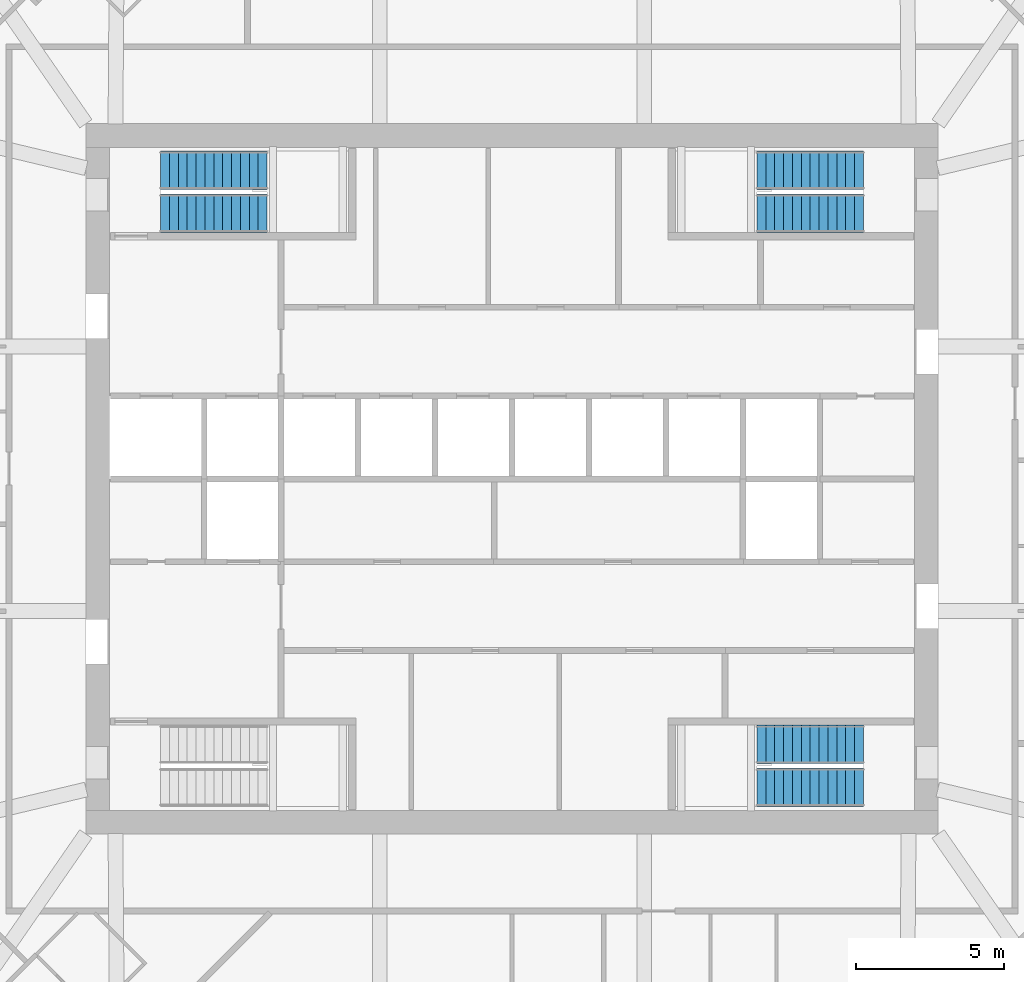
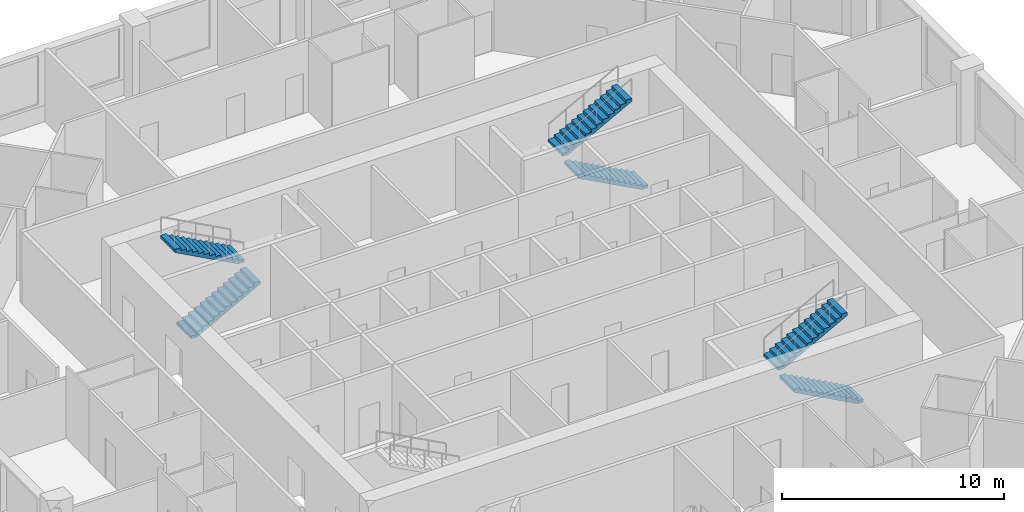
# One storey, part 11 of 12: 6 stair flights, 3 elements without a shape of their own.
"""IFC4 building model written with IfcOpenShell, lengths in metres."""

from ifc_helpers import new_model, si_unit, direction, frame, origin, place, context, subcontext, project, spatial, polyline, outline, extrude, material, type_object, element, aggregate, save


model = new_model("IFC4")

# Units and contexts
model_context = context("Model", 3, precision=1e-05, world=origin(), true_north=direction((0.0, 1.0)))
body_context = subcontext(model_context, "Body", "Model", "MODEL_VIEW")
ifc_project = project(units=[si_unit("LENGTHUNIT", "METRE"), si_unit("AREAUNIT", "SQUARE_METRE"), si_unit("VOLUMEUNIT", "CUBIC_METRE"), si_unit("PLANEANGLEUNIT", "RADIAN"), si_unit("MASSUNIT", "GRAM", prefix="KILO")], contexts=[model_context])

# Site, building, storey
site_placement = place(None, origin())
site = spatial("IfcSite", under=ifc_project, at=site_placement, CompositionType="ELEMENT")
building_placement = place(site_placement, origin())
building = spatial("IfcBuilding", under=site, at=building_placement, Name="Msitu Wima Residences", CompositionType="ELEMENT")
storey_placement = place(building_placement, frame((0.0, 0.0, 123.300048828125)))
storey = spatial("IfcBuildingStorey", under=building, at=storey_placement, Name="L28", CompositionType="ELEMENT", Elevation=123.300048828125)

# Stair, stair flights
ifc_material = material(Name="Concrete C40/50", Category="concrete")
stair_type = type_object("IfcStairType", Name="Exit stair ES1615-130", PredefinedType="HALF_TURN_STAIR", material=ifc_material)
stair_1_placement = place(storey_placement, origin())
stair_1 = element("IfcStair", 1, at=stair_1_placement, inside=storey, type_object=stair_type, Name="Exit stair 1", PredefinedType="HALF_TURN_STAIR")
stair_flight_type = type_object("IfcStairFlightType", Name="Exit stair flight ES1615-130", PredefinedType="STRAIGHT", material=ifc_material)
stair_flight_1_placement = place(storey_placement, frame((-11.875, 8.97509765625, 0.0), z_axis=(0.0, 0.0, 1.0), x_axis=(1.0, 0.0, 0.0)))
stair_flight_1 = element("IfcStairFlight", 2, at=stair_flight_1_placement, type_object=stair_flight_type, Name="S1 flight 1", NumberOfRisers=13, NumberOfTreads=12, PredefinedType="STRAIGHT", RiserHeight=0.161538462, TreadLength=0.3, context=body_context, shape_type="SweptSolid", body=[
    extrude(outline(polyline([(0.0, 0.0), (0.0, 0.16162109375), (0.300048828125, 0.16162109375), (0.300048828125, 0.322998046875), (0.60009765625, 0.322998046875), (0.60009765625, 0.484619140625), (0.89990234375, 0.484619140625), (0.89990234375, 0.646240234375), (1.199951171875, 0.646240234375), (1.199951171875, 0.8076171875), (1.5, 0.8076171875), (1.5, 0.96923828125), (1.800048828125, 0.96923828125), (1.800048828125, 1.130859375), (2.10009765625, 1.130859375), (2.10009765625, 1.292236328125), (2.39990234375, 1.292236328125), (2.39990234375, 1.453857421875), (2.699951171875, 1.453857421875), (2.699951171875, 1.615478515625), (3.0, 1.615478515625), (3.0, 1.77685546875), (3.300048828125, 1.77685546875), (3.300048828125, 1.9384765625), (3.60009765625, 1.9384765625), (3.60009765625, 2.10009765625), (3.60009765625, 1.768310546875), (0.316162109375, 0.0), (0.0, 0.0)])), frame((0.0, 0.64990234375, 0.0), z_axis=(0.0, -1.0, 0.0), x_axis=(1.0, 0.0, 0.0)), (0.0, 0.0, 1.0), 1.300048828125),
])
stair_flight_2_placement = place(storey_placement, frame((-8.27490234375, 10.425048828125, 2.099853515625), z_axis=(0.0, 0.0, 1.0), x_axis=(-1.0, 0.0, 0.0)))
stair_flight_2 = element("IfcStairFlight", 3, at=stair_flight_2_placement, type_object=stair_flight_type, Name="S1 flight 2", NumberOfRisers=13, NumberOfTreads=12, PredefinedType="STRAIGHT", RiserHeight=0.161538462, TreadLength=0.3, context=body_context, shape_type="SweptSolid", body=[
    extrude(outline(polyline([(0.0, 0.0), (0.0, 0.16162109375), (0.300048828125, 0.16162109375), (0.300048828125, 0.322998046875), (0.60009765625, 0.322998046875), (0.60009765625, 0.484619140625), (0.89990234375, 0.484619140625), (0.89990234375, 0.646240234375), (1.199951171875, 0.646240234375), (1.199951171875, 0.8076171875), (1.5, 0.8076171875), (1.5, 0.96923828125), (1.800048828125, 0.96923828125), (1.800048828125, 1.130859375), (2.10009765625, 1.130859375), (2.10009765625, 1.292236328125), (2.39990234375, 1.292236328125), (2.39990234375, 1.453857421875), (2.699951171875, 1.453857421875), (2.699951171875, 1.615478515625), (3.0, 1.615478515625), (3.0, 1.77685546875), (3.300048828125, 1.77685546875), (3.300048828125, 1.9384765625), (3.60009765625, 1.9384765625), (3.60009765625, 2.10009765625), (3.60009765625, 1.768310546875), (0.316162109375, 0.0), (0.0, 0.0)])), frame((0.0, 0.64990234375, 0.0), z_axis=(0.0, -1.0, 0.0), x_axis=(1.0, 0.0, 0.0)), (0.0, 0.0, 1.0), 1.300048828125),
])
aggregate(stair_1, [stair_flight_1, stair_flight_2])

stair_2_placement = place(storey_placement, origin())
stair_2 = element("IfcStair", 4, at=stair_2_placement, inside=storey, type_object=stair_type, Name="Exit stair 3", PredefinedType="HALF_TURN_STAIR")
stair_flight_3_placement = place(storey_placement, frame((11.875, 8.97509765625, 0.0), z_axis=(0.0, 0.0, 1.0), x_axis=(-1.0, 0.0, 0.0)))
stair_flight_3 = element("IfcStairFlight", 5, at=stair_flight_3_placement, type_object=stair_flight_type, Name="S3 flight 1", NumberOfRisers=13, NumberOfTreads=12, PredefinedType="STRAIGHT", RiserHeight=0.161538462, TreadLength=0.3, context=body_context, shape_type="SweptSolid", body=[
    extrude(outline(polyline([(0.0, 0.0), (0.0, 0.16162109375), (0.300048828125, 0.16162109375), (0.300048828125, 0.322998046875), (0.60009765625, 0.322998046875), (0.60009765625, 0.484619140625), (0.89990234375, 0.484619140625), (0.89990234375, 0.646240234375), (1.199951171875, 0.646240234375), (1.199951171875, 0.8076171875), (1.5, 0.8076171875), (1.5, 0.96923828125), (1.800048828125, 0.96923828125), (1.800048828125, 1.130859375), (2.10009765625, 1.130859375), (2.10009765625, 1.292236328125), (2.39990234375, 1.292236328125), (2.39990234375, 1.453857421875), (2.699951171875, 1.453857421875), (2.699951171875, 1.615478515625), (3.0, 1.615478515625), (3.0, 1.77685546875), (3.300048828125, 1.77685546875), (3.300048828125, 1.9384765625), (3.60009765625, 1.9384765625), (3.60009765625, 2.10009765625), (3.60009765625, 1.768310546875), (0.316162109375, 0.0), (0.0, 0.0)])), frame((0.0, 0.64990234375, 0.0), z_axis=(0.0, -1.0, 0.0), x_axis=(1.0, 0.0, 0.0)), (0.0, 0.0, 1.0), 1.300048828125),
])
stair_flight_4_placement = place(storey_placement, frame((8.27490234375, 10.425048828125, 2.099853515625), z_axis=(0.0, 0.0, 1.0), x_axis=(1.0, 0.0, 0.0)))
stair_flight_4 = element("IfcStairFlight", 6, at=stair_flight_4_placement, type_object=stair_flight_type, Name="S3 flight 2", NumberOfRisers=13, NumberOfTreads=12, PredefinedType="STRAIGHT", RiserHeight=0.161538462, TreadLength=0.3, context=body_context, shape_type="SweptSolid", body=[
    extrude(outline(polyline([(0.0, 0.0), (0.0, 0.16162109375), (0.300048828125, 0.16162109375), (0.300048828125, 0.322998046875), (0.60009765625, 0.322998046875), (0.60009765625, 0.484619140625), (0.89990234375, 0.484619140625), (0.89990234375, 0.646240234375), (1.199951171875, 0.646240234375), (1.199951171875, 0.8076171875), (1.5, 0.8076171875), (1.5, 0.96923828125), (1.800048828125, 0.96923828125), (1.800048828125, 1.130859375), (2.10009765625, 1.130859375), (2.10009765625, 1.292236328125), (2.39990234375, 1.292236328125), (2.39990234375, 1.453857421875), (2.699951171875, 1.453857421875), (2.699951171875, 1.615478515625), (3.0, 1.615478515625), (3.0, 1.77685546875), (3.300048828125, 1.77685546875), (3.300048828125, 1.9384765625), (3.60009765625, 1.9384765625), (3.60009765625, 2.10009765625), (3.60009765625, 1.768310546875), (0.316162109375, 0.0), (0.0, 0.0)])), frame((0.0, 0.64990234375, 0.0), z_axis=(0.0, -1.0, 0.0), x_axis=(1.0, 0.0, 0.0)), (0.0, 0.0, 1.0), 1.300048828125),
])
aggregate(stair_2, [stair_flight_3, stair_flight_4])

stair_3_placement = place(storey_placement, origin())
stair_3 = element("IfcStair", 7, at=stair_3_placement, inside=storey, type_object=stair_type, Name="Exit stair 4", PredefinedType="HALF_TURN_STAIR")
stair_flight_5_placement = place(storey_placement, frame((11.875, -10.425048828125, 0.0), z_axis=(0.0, 0.0, 1.0), x_axis=(-1.0, 0.0, 0.0)))
stair_flight_5 = element("IfcStairFlight", 8, at=stair_flight_5_placement, type_object=stair_flight_type, Name="S4 flight 1", NumberOfRisers=13, NumberOfTreads=12, PredefinedType="STRAIGHT", RiserHeight=0.161538462, TreadLength=0.3, context=body_context, shape_type="SweptSolid", body=[
    extrude(outline(polyline([(0.0, 0.0), (0.0, 0.16162109375), (0.300048828125, 0.16162109375), (0.300048828125, 0.322998046875), (0.60009765625, 0.322998046875), (0.60009765625, 0.484619140625), (0.89990234375, 0.484619140625), (0.89990234375, 0.646240234375), (1.199951171875, 0.646240234375), (1.199951171875, 0.8076171875), (1.5, 0.8076171875), (1.5, 0.96923828125), (1.800048828125, 0.96923828125), (1.800048828125, 1.130859375), (2.10009765625, 1.130859375), (2.10009765625, 1.292236328125), (2.39990234375, 1.292236328125), (2.39990234375, 1.453857421875), (2.699951171875, 1.453857421875), (2.699951171875, 1.615478515625), (3.0, 1.615478515625), (3.0, 1.77685546875), (3.300048828125, 1.77685546875), (3.300048828125, 1.9384765625), (3.60009765625, 1.9384765625), (3.60009765625, 2.10009765625), (3.60009765625, 1.768310546875), (0.316162109375, 0.0), (0.0, 0.0)])), frame((0.0, 0.64990234375, 0.0), z_axis=(0.0, -1.0, 0.0), x_axis=(1.0, 0.0, 0.0)), (0.0, 0.0, 1.0), 1.300048828125),
])
stair_flight_6_placement = place(storey_placement, frame((8.27490234375, -8.97509765625, 2.099853515625), z_axis=(0.0, 0.0, 1.0), x_axis=(1.0, 0.0, 0.0)))
stair_flight_6 = element("IfcStairFlight", 9, at=stair_flight_6_placement, type_object=stair_flight_type, Name="S4 flight 2", NumberOfRisers=13, NumberOfTreads=12, PredefinedType="STRAIGHT", RiserHeight=0.161538462, TreadLength=0.3, context=body_context, shape_type="SweptSolid", body=[
    extrude(outline(polyline([(0.0, 0.0), (0.0, 0.16162109375), (0.300048828125, 0.16162109375), (0.300048828125, 0.322998046875), (0.60009765625, 0.322998046875), (0.60009765625, 0.484619140625), (0.89990234375, 0.484619140625), (0.89990234375, 0.646240234375), (1.199951171875, 0.646240234375), (1.199951171875, 0.8076171875), (1.5, 0.8076171875), (1.5, 0.96923828125), (1.800048828125, 0.96923828125), (1.800048828125, 1.130859375), (2.10009765625, 1.130859375), (2.10009765625, 1.292236328125), (2.39990234375, 1.292236328125), (2.39990234375, 1.453857421875), (2.699951171875, 1.453857421875), (2.699951171875, 1.615478515625), (3.0, 1.615478515625), (3.0, 1.77685546875), (3.300048828125, 1.77685546875), (3.300048828125, 1.9384765625), (3.60009765625, 1.9384765625), (3.60009765625, 2.10009765625), (3.60009765625, 1.768310546875), (0.316162109375, 0.0), (0.0, 0.0)])), frame((0.0, 0.64990234375, 0.0), z_axis=(0.0, -1.0, 0.0), x_axis=(1.0, 0.0, 0.0)), (0.0, 0.0, 1.0), 1.300048828125),
])
aggregate(stair_3, [stair_flight_5, stair_flight_6])

save(model, "model.ifc")
